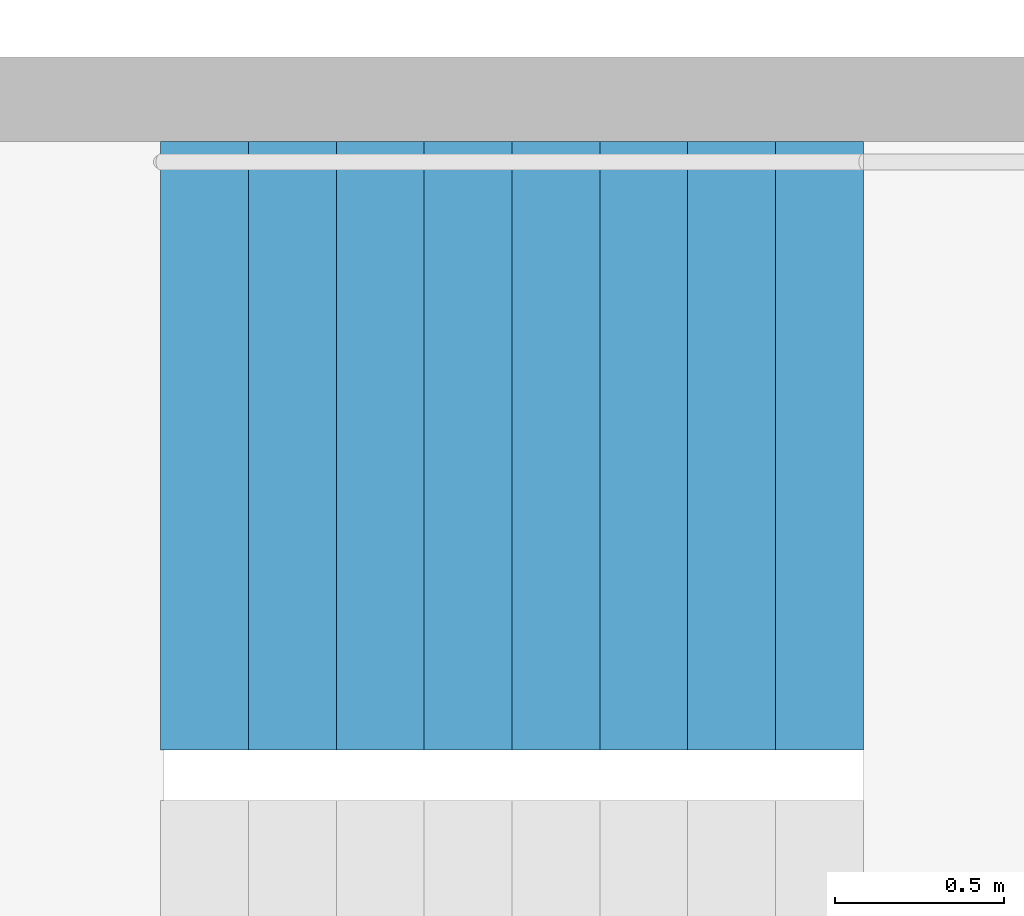
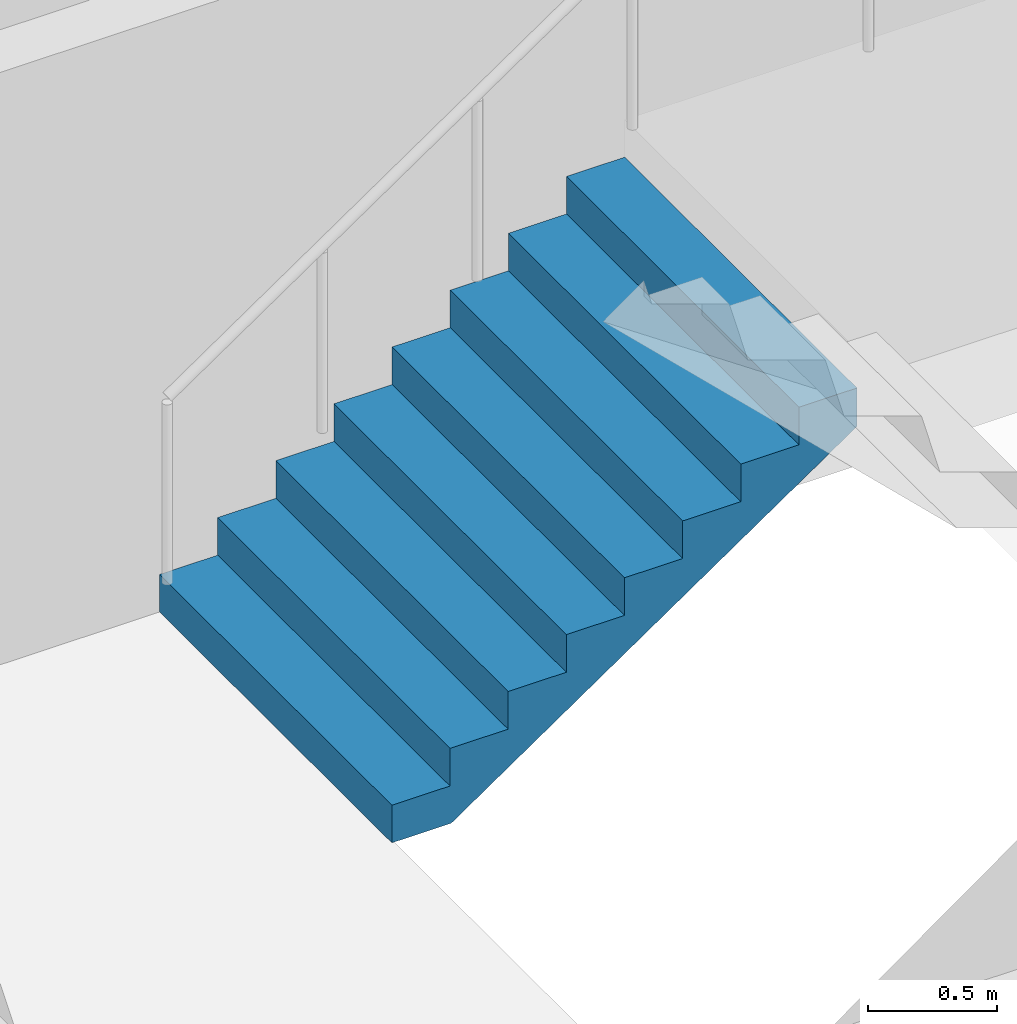
# One storey, part 26 of 29: 1 stair flight, 1 element without a shape of its own.
"""IFC4 building model written with IfcOpenShell, lengths in metres."""

from ifc_helpers import new_model, si_unit, direction, frame, origin, place, context, subcontext, project, spatial, triangles, material, type_object, element, aggregate, save


model = new_model("IFC4")

# Units and contexts
model_context = context("Model", 3, precision=1e-05, world=origin(), true_north=direction((0.0, 1.0)))
body_context = subcontext(model_context, "Body", "Model", "MODEL_VIEW")
ifc_project = project(units=[si_unit("LENGTHUNIT", "METRE"), si_unit("AREAUNIT", "SQUARE_METRE"), si_unit("VOLUMEUNIT", "CUBIC_METRE"), si_unit("PLANEANGLEUNIT", "RADIAN"), si_unit("MASSUNIT", "GRAM", prefix="KILO")], contexts=[model_context])

# Site, building, storey
site_placement = place(None, origin())
site = spatial("IfcSite", under=ifc_project, at=site_placement, CompositionType="ELEMENT")
building_placement = place(site_placement, origin())
building = spatial("IfcBuilding", under=site, at=building_placement, Name="Hakoniwa Tower and Hamabe Station Hall", CompositionType="ELEMENT")
storey_placement = place(building_placement, frame((0.0, 0.0, 85.0)))
storey = spatial("IfcBuildingStorey", under=building, at=storey_placement, Name="L23", CompositionType="ELEMENT", Elevation=85.0)

# Stair, stair flight
ifc_material_1 = material(Name="Concrete C40", Category="concrete")
stair_type = type_object("IfcStairType", Name="ESCAPE STAIR 1800", PredefinedType="HALF_TURN_STAIR", material=ifc_material_1)
stair_placement = place(storey_placement, origin())
stair = element("IfcStair", 1, at=stair_placement, inside=storey, type_object=stair_type, Name="Escape stair ST-4 L23", PredefinedType="HALF_TURN_STAIR")
ifc_material_2 = material(Name="Concrete C40", Category="concrete")
stair_flight_type = type_object("IfcStairFlightType", Name="STAIR FLIGHT 1800", PredefinedType="STRAIGHT", material=ifc_material_2)
stair_flight_placement = place(storey_placement, frame((23.39990234375, -4.64990234375, 0.0), z_axis=(0.0, 0.0, 1.0), x_axis=(1.0, 0.0, 0.0)))
stair_flight = element("IfcStairFlight", 2, at=stair_flight_placement, type_object=stair_flight_type, Name="ST-4 flight 1", NumberOfRisers=9, NumberOfTreads=8, PredefinedType="STRAIGHT", RiserHeight=0.177777778, TreadLength=0.26, context=body_context, shape_type="Tessellation", body=[
    triangles([(0.0, 0.89990234375, 0.0), (0.260009765625, 0.89990234375, 0.0), (0.265625, 0.89990234375, 0.0), (0.52001953125, 0.89990234375, 0.174072265625), (0.780029296875, 0.89990234375, 0.351806640625), (1.0400390625, 0.89990234375, 0.529541015625), (1.300048828125, 0.89990234375, 0.707275390625), (1.56005859375, 0.89990234375, 0.885009765625), (1.820068359375, 0.89990234375, 1.062744140625), (2.080078125, 0.89990234375, 1.24072265625), (2.080078125, 0.89990234375, 1.422119140625), (1.820068359375, 0.89990234375, 1.422119140625), (1.820068359375, 0.89990234375, 1.244384765625), (1.56005859375, 0.89990234375, 1.244384765625), (1.56005859375, 0.89990234375, 1.066650390625), (1.300048828125, 0.89990234375, 1.066650390625), (1.300048828125, 0.89990234375, 0.888916015625), (1.0400390625, 0.89990234375, 0.888916015625), (1.0400390625, 0.89990234375, 0.711181640625), (0.780029296875, 0.89990234375, 0.711181640625), (0.780029296875, 0.89990234375, 0.533447265625), (0.52001953125, 0.89990234375, 0.533447265625), (0.52001953125, 0.89990234375, 0.35546875), (0.265625, 0.89990234375, 0.35546875), (0.260009765625, 0.89990234375, 0.35546875), (0.260009765625, 0.89990234375, 0.177734375), (0.0, 0.89990234375, 0.177734375), (0.0, 0.06005859375, 0.0), (0.260009765625, 0.06005859375, 0.0), (0.265625, 0.06005859375, 0.0), (0.52001953125, 0.06005859375, 0.174072265625), (0.780029296875, 0.06005859375, 0.351806640625), (1.0400390625, 0.06005859375, 0.529541015625), (1.300048828125, 0.06005859375, 0.707275390625), (1.56005859375, 0.06005859375, 0.885009765625), (1.820068359375, 0.06005859375, 1.062744140625), (2.080078125, 0.06005859375, 1.24072265625), (2.080078125, 0.06005859375, 1.422119140625), (1.820068359375, 0.06005859375, 1.422119140625), (1.820068359375, 0.06005859375, 1.244384765625), (1.56005859375, 0.06005859375, 1.244384765625), (1.56005859375, 0.06005859375, 1.066650390625), (1.300048828125, 0.06005859375, 1.066650390625), (1.300048828125, 0.06005859375, 0.888916015625), (1.0400390625, 0.06005859375, 0.888916015625), (1.0400390625, 0.06005859375, 0.711181640625), (0.780029296875, 0.06005859375, 0.711181640625), (0.780029296875, 0.06005859375, 0.533447265625), (0.52001953125, 0.06005859375, 0.533447265625), (0.52001953125, 0.06005859375, 0.35546875), (0.265625, 0.06005859375, 0.35546875), (0.260009765625, 0.06005859375, 0.35546875), (0.260009765625, 0.06005859375, 0.177734375), (0.0, 0.06005859375, 0.177734375), (0.0, 0.04296875, 0.0), (0.260009765625, 0.04296875, 0.0), (0.265625, 0.04296875, 0.0), (0.52001953125, 0.04296875, 0.174072265625), (0.780029296875, 0.04296875, 0.351806640625), (1.0400390625, 0.04296875, 0.529541015625), (1.300048828125, 0.04296875, 0.707275390625), (1.56005859375, 0.04296875, 0.885009765625), (1.820068359375, 0.04296875, 1.062744140625), (2.080078125, 0.04296875, 1.24072265625), (2.080078125, 0.04296875, 1.422119140625), (1.820068359375, 0.04296875, 1.422119140625), (1.820068359375, 0.04296875, 1.244384765625), (1.56005859375, 0.04296875, 1.244384765625), (1.56005859375, 0.04296875, 1.066650390625), (1.300048828125, 0.04296875, 1.066650390625), (1.300048828125, 0.04296875, 0.888916015625), (1.0400390625, 0.04296875, 0.888916015625), (1.0400390625, 0.04296875, 0.711181640625), (0.780029296875, 0.04296875, 0.711181640625), (0.780029296875, 0.04296875, 0.533447265625), (0.52001953125, 0.04296875, 0.533447265625), (0.52001953125, 0.04296875, 0.35546875), (0.265625, 0.04296875, 0.35546875), (0.260009765625, 0.04296875, 0.35546875), (0.260009765625, 0.04296875, 0.177734375), (0.0, 0.04296875, 0.177734375), (0.0, 0.025634765625, 0.0), (0.260009765625, 0.025634765625, 0.0), (0.265625, 0.025634765625, 0.0), (0.52001953125, 0.025634765625, 0.174072265625), (0.780029296875, 0.025634765625, 0.351806640625), (1.0400390625, 0.025634765625, 0.529541015625), (1.300048828125, 0.025634765625, 0.707275390625), (1.56005859375, 0.025634765625, 0.885009765625), (1.820068359375, 0.025634765625, 1.062744140625), (2.080078125, 0.025634765625, 1.24072265625), (2.080078125, 0.025634765625, 1.422119140625), (1.820068359375, 0.025634765625, 1.422119140625), (1.820068359375, 0.025634765625, 1.244384765625), (1.56005859375, 0.025634765625, 1.244384765625), (1.56005859375, 0.025634765625, 1.066650390625), (1.300048828125, 0.025634765625, 1.066650390625), (1.300048828125, 0.025634765625, 0.888916015625), (1.0400390625, 0.025634765625, 0.888916015625), (1.0400390625, 0.025634765625, 0.711181640625), (0.780029296875, 0.025634765625, 0.711181640625), (0.780029296875, 0.025634765625, 0.533447265625), (0.52001953125, 0.025634765625, 0.533447265625), (0.52001953125, 0.025634765625, 0.35546875), (0.265625, 0.025634765625, 0.35546875), (0.260009765625, 0.025634765625, 0.35546875), (0.260009765625, 0.025634765625, 0.177734375), (0.0, 0.025634765625, 0.177734375), (0.0, 0.008544921875, 0.0), (0.260009765625, 0.008544921875, 0.0), (0.265625, 0.008544921875, 0.0), (0.52001953125, 0.008544921875, 0.174072265625), (0.780029296875, 0.008544921875, 0.351806640625), (1.0400390625, 0.008544921875, 0.529541015625), (1.300048828125, 0.008544921875, 0.707275390625), (1.56005859375, 0.008544921875, 0.885009765625), (1.820068359375, 0.008544921875, 1.062744140625), (2.080078125, 0.008544921875, 1.24072265625), (2.080078125, 0.008544921875, 1.422119140625), (1.820068359375, 0.008544921875, 1.422119140625), (1.820068359375, 0.008544921875, 1.244384765625), (1.56005859375, 0.008544921875, 1.244384765625), (1.56005859375, 0.008544921875, 1.066650390625), (1.300048828125, 0.008544921875, 1.066650390625), (1.300048828125, 0.008544921875, 0.888916015625), (1.0400390625, 0.008544921875, 0.888916015625), (1.0400390625, 0.008544921875, 0.711181640625), (0.780029296875, 0.008544921875, 0.711181640625), (0.780029296875, 0.008544921875, 0.533447265625), (0.52001953125, 0.008544921875, 0.533447265625), (0.52001953125, 0.008544921875, 0.35546875), (0.265625, 0.008544921875, 0.35546875), (0.260009765625, 0.008544921875, 0.35546875), (0.260009765625, 0.008544921875, 0.177734375), (0.0, 0.008544921875, 0.177734375), (0.0, -0.008544921875, 0.0), (0.260009765625, -0.008544921875, 0.0), (0.265625, -0.008544921875, 0.0), (0.52001953125, -0.008544921875, 0.174072265625), (0.780029296875, -0.008544921875, 0.351806640625), (1.0400390625, -0.008544921875, 0.529541015625), (1.300048828125, -0.008544921875, 0.707275390625), (1.56005859375, -0.008544921875, 0.885009765625), (1.820068359375, -0.008544921875, 1.062744140625), (2.080078125, -0.008544921875, 1.24072265625), (2.080078125, -0.008544921875, 1.422119140625), (1.820068359375, -0.008544921875, 1.422119140625), (1.820068359375, -0.008544921875, 1.244384765625), (1.56005859375, -0.008544921875, 1.244384765625), (1.56005859375, -0.008544921875, 1.066650390625), (1.300048828125, -0.008544921875, 1.066650390625), (1.300048828125, -0.008544921875, 0.888916015625), (1.0400390625, -0.008544921875, 0.888916015625), (1.0400390625, -0.008544921875, 0.711181640625), (0.780029296875, -0.008544921875, 0.711181640625), (0.780029296875, -0.008544921875, 0.533447265625), (0.52001953125, -0.008544921875, 0.533447265625), (0.52001953125, -0.008544921875, 0.35546875), (0.265625, -0.008544921875, 0.35546875), (0.260009765625, -0.008544921875, 0.35546875), (0.260009765625, -0.008544921875, 0.177734375), (0.0, -0.008544921875, 0.177734375), (0.0, -0.025634765625, 0.0), (0.260009765625, -0.025634765625, 0.0), (0.265625, -0.025634765625, 0.0), (0.52001953125, -0.025634765625, 0.174072265625), (0.780029296875, -0.025634765625, 0.351806640625), (1.0400390625, -0.025634765625, 0.529541015625), (1.300048828125, -0.025634765625, 0.707275390625), (1.56005859375, -0.025634765625, 0.885009765625), (1.820068359375, -0.025634765625, 1.062744140625), (2.080078125, -0.025634765625, 1.24072265625), (2.080078125, -0.025634765625, 1.422119140625), (1.820068359375, -0.025634765625, 1.422119140625), (1.820068359375, -0.025634765625, 1.244384765625), (1.56005859375, -0.025634765625, 1.244384765625), (1.56005859375, -0.025634765625, 1.066650390625), (1.300048828125, -0.025634765625, 1.066650390625), (1.300048828125, -0.025634765625, 0.888916015625), (1.0400390625, -0.025634765625, 0.888916015625), (1.0400390625, -0.025634765625, 0.711181640625), (0.780029296875, -0.025634765625, 0.711181640625), (0.780029296875, -0.025634765625, 0.533447265625), (0.52001953125, -0.025634765625, 0.533447265625), (0.52001953125, -0.025634765625, 0.35546875), (0.265625, -0.025634765625, 0.35546875), (0.260009765625, -0.025634765625, 0.35546875), (0.260009765625, -0.025634765625, 0.177734375), (0.0, -0.025634765625, 0.177734375), (0.0, -0.04296875, 0.0), (0.260009765625, -0.04296875, 0.0), (0.265625, -0.04296875, 0.0), (0.52001953125, -0.04296875, 0.174072265625), (0.780029296875, -0.04296875, 0.351806640625), (1.0400390625, -0.04296875, 0.529541015625), (1.300048828125, -0.04296875, 0.707275390625), (1.56005859375, -0.04296875, 0.885009765625), (1.820068359375, -0.04296875, 1.062744140625), (2.080078125, -0.04296875, 1.24072265625), (2.080078125, -0.04296875, 1.422119140625), (1.820068359375, -0.04296875, 1.422119140625), (1.820068359375, -0.04296875, 1.244384765625), (1.56005859375, -0.04296875, 1.244384765625), (1.56005859375, -0.04296875, 1.066650390625), (1.300048828125, -0.04296875, 1.066650390625), (1.300048828125, -0.04296875, 0.888916015625), (1.0400390625, -0.04296875, 0.888916015625), (1.0400390625, -0.04296875, 0.711181640625), (0.780029296875, -0.04296875, 0.711181640625), (0.780029296875, -0.04296875, 0.533447265625), (0.52001953125, -0.04296875, 0.533447265625), (0.52001953125, -0.04296875, 0.35546875), (0.265625, -0.04296875, 0.35546875), (0.260009765625, -0.04296875, 0.35546875), (0.260009765625, -0.04296875, 0.177734375), (0.0, -0.04296875, 0.177734375), (0.0, -0.06005859375, 0.0), (0.260009765625, -0.06005859375, 0.0), (0.265625, -0.06005859375, 0.0), (0.52001953125, -0.06005859375, 0.174072265625), (0.780029296875, -0.06005859375, 0.351806640625), (1.0400390625, -0.06005859375, 0.529541015625), (1.300048828125, -0.06005859375, 0.707275390625), (1.56005859375, -0.06005859375, 0.885009765625), (1.820068359375, -0.06005859375, 1.062744140625), (2.080078125, -0.06005859375, 1.24072265625), (2.080078125, -0.06005859375, 1.422119140625), (1.820068359375, -0.06005859375, 1.422119140625), (1.820068359375, -0.06005859375, 1.244384765625), (1.56005859375, -0.06005859375, 1.244384765625), (1.56005859375, -0.06005859375, 1.066650390625), (1.300048828125, -0.06005859375, 1.066650390625), (1.300048828125, -0.06005859375, 0.888916015625), (1.0400390625, -0.06005859375, 0.888916015625), (1.0400390625, -0.06005859375, 0.711181640625), (0.780029296875, -0.06005859375, 0.711181640625), (0.780029296875, -0.06005859375, 0.533447265625), (0.52001953125, -0.06005859375, 0.533447265625), (0.52001953125, -0.06005859375, 0.35546875), (0.265625, -0.06005859375, 0.35546875), (0.260009765625, -0.06005859375, 0.35546875), (0.260009765625, -0.06005859375, 0.177734375), (0.0, -0.06005859375, 0.177734375), (0.0, -0.89990234375, 0.0), (0.260009765625, -0.89990234375, 0.0), (0.265625, -0.89990234375, 0.0), (0.52001953125, -0.89990234375, 0.174072265625), (0.780029296875, -0.89990234375, 0.351806640625), (1.0400390625, -0.89990234375, 0.529541015625), (1.300048828125, -0.89990234375, 0.707275390625), (1.56005859375, -0.89990234375, 0.885009765625), (1.820068359375, -0.89990234375, 1.062744140625), (2.080078125, -0.89990234375, 1.24072265625), (2.080078125, -0.89990234375, 1.422119140625), (1.820068359375, -0.89990234375, 1.422119140625), (1.820068359375, -0.89990234375, 1.244384765625), (1.56005859375, -0.89990234375, 1.244384765625), (1.56005859375, -0.89990234375, 1.066650390625), (1.300048828125, -0.89990234375, 1.066650390625), (1.300048828125, -0.89990234375, 0.888916015625), (1.0400390625, -0.89990234375, 0.888916015625), (1.0400390625, -0.89990234375, 0.711181640625), (0.780029296875, -0.89990234375, 0.711181640625), (0.780029296875, -0.89990234375, 0.533447265625), (0.52001953125, -0.89990234375, 0.533447265625), (0.52001953125, -0.89990234375, 0.35546875), (0.265625, -0.89990234375, 0.35546875), (0.260009765625, -0.89990234375, 0.35546875), (0.260009765625, -0.89990234375, 0.177734375), (0.0, -0.89990234375, 0.177734375)], [[2, 27, 26], [245, 269, 270], [2, 1, 27], [245, 270, 244], [3, 25, 24], [246, 267, 268], [3, 26, 25], [246, 268, 269], [3, 2, 26], [246, 269, 245], [4, 24, 23], [247, 266, 267], [4, 3, 24], [247, 267, 246], [5, 22, 21], [248, 264, 265], [5, 23, 22], [248, 265, 266], [5, 4, 23], [248, 266, 247], [6, 20, 19], [249, 262, 263], [6, 21, 20], [249, 263, 264], [6, 5, 21], [249, 264, 248], [7, 18, 17], [250, 260, 261], [7, 19, 18], [250, 261, 262], [7, 6, 19], [250, 262, 249], [8, 16, 15], [251, 258, 259], [8, 17, 16], [251, 259, 260], [8, 7, 17], [251, 260, 250], [9, 14, 13], [252, 256, 257], [9, 15, 14], [252, 257, 258], [9, 8, 15], [252, 258, 251], [10, 12, 11], [253, 254, 255], [10, 13, 12], [253, 255, 256], [10, 9, 13], [253, 256, 252], [1, 2, 29], [1, 29, 28], [28, 29, 56], [28, 56, 55], [55, 56, 83], [55, 83, 82], [82, 83, 110], [82, 110, 109], [109, 110, 137], [109, 137, 136], [136, 137, 164], [136, 164, 163], [163, 164, 191], [163, 191, 190], [190, 191, 218], [190, 218, 217], [217, 218, 245], [217, 245, 244], [2, 3, 30], [2, 30, 29], [29, 30, 57], [29, 57, 56], [56, 57, 84], [56, 84, 83], [83, 84, 111], [83, 111, 110], [110, 111, 138], [110, 138, 137], [137, 138, 165], [137, 165, 164], [164, 165, 192], [164, 192, 191], [191, 192, 219], [191, 219, 218], [218, 219, 246], [218, 246, 245], [3, 4, 31], [3, 31, 30], [30, 31, 58], [30, 58, 57], [57, 58, 85], [57, 85, 84], [84, 85, 112], [84, 112, 111], [111, 112, 139], [111, 139, 138], [138, 139, 166], [138, 166, 165], [165, 166, 193], [165, 193, 192], [192, 193, 220], [192, 220, 219], [219, 220, 247], [219, 247, 246], [4, 5, 32], [4, 32, 31], [31, 32, 59], [31, 59, 58], [58, 59, 86], [58, 86, 85], [85, 86, 113], [85, 113, 112], [112, 113, 140], [112, 140, 139], [139, 140, 167], [139, 167, 166], [166, 167, 194], [166, 194, 193], [193, 194, 221], [193, 221, 220], [220, 221, 248], [220, 248, 247], [5, 6, 33], [5, 33, 32], [32, 33, 60], [32, 60, 59], [59, 60, 87], [59, 87, 86], [86, 87, 114], [86, 114, 113], [113, 114, 141], [113, 141, 140], [140, 141, 168], [140, 168, 167], [167, 168, 195], [167, 195, 194], [194, 195, 222], [194, 222, 221], [221, 222, 249], [221, 249, 248], [6, 7, 34], [6, 34, 33], [33, 34, 61], [33, 61, 60], [60, 61, 88], [60, 88, 87], [87, 88, 115], [87, 115, 114], [114, 115, 142], [114, 142, 141], [141, 142, 169], [141, 169, 168], [168, 169, 196], [168, 196, 195], [195, 196, 223], [195, 223, 222], [222, 223, 250], [222, 250, 249], [7, 8, 35], [7, 35, 34], [34, 35, 62], [34, 62, 61], [61, 62, 89], [61, 89, 88], [88, 89, 116], [88, 116, 115], [115, 116, 143], [115, 143, 142], [142, 143, 170], [142, 170, 169], [169, 170, 197], [169, 197, 196], [196, 197, 224], [196, 224, 223], [223, 224, 251], [223, 251, 250], [8, 9, 36], [8, 36, 35], [35, 36, 63], [35, 63, 62], [62, 63, 90], [62, 90, 89], [89, 90, 117], [89, 117, 116], [116, 117, 144], [116, 144, 143], [143, 144, 171], [143, 171, 170], [170, 171, 198], [170, 198, 197], [197, 198, 225], [197, 225, 224], [224, 225, 252], [224, 252, 251], [9, 10, 37], [9, 37, 36], [36, 37, 64], [36, 64, 63], [63, 64, 91], [63, 91, 90], [90, 91, 118], [90, 118, 117], [117, 118, 145], [117, 145, 144], [144, 145, 172], [144, 172, 171], [171, 172, 199], [171, 199, 198], [198, 199, 226], [198, 226, 225], [225, 226, 253], [225, 253, 252], [10, 11, 38], [10, 38, 37], [37, 38, 65], [37, 65, 64], [64, 65, 92], [64, 92, 91], [91, 92, 119], [91, 119, 118], [118, 119, 146], [118, 146, 145], [145, 146, 173], [145, 173, 172], [172, 173, 200], [172, 200, 199], [199, 200, 227], [199, 227, 226], [226, 227, 254], [226, 254, 253], [11, 12, 39], [11, 39, 38], [38, 39, 66], [38, 66, 65], [65, 66, 93], [65, 93, 92], [92, 93, 120], [92, 120, 119], [119, 120, 147], [119, 147, 146], [146, 147, 174], [146, 174, 173], [173, 174, 201], [173, 201, 200], [200, 201, 228], [200, 228, 227], [227, 228, 255], [227, 255, 254], [12, 13, 40], [12, 40, 39], [39, 40, 67], [39, 67, 66], [66, 67, 94], [66, 94, 93], [93, 94, 121], [93, 121, 120], [120, 121, 148], [120, 148, 147], [147, 148, 175], [147, 175, 174], [174, 175, 202], [174, 202, 201], [201, 202, 229], [201, 229, 228], [228, 229, 256], [228, 256, 255], [13, 14, 41], [13, 41, 40], [40, 41, 68], [40, 68, 67], [67, 68, 95], [67, 95, 94], [94, 95, 122], [94, 122, 121], [121, 122, 149], [121, 149, 148], [148, 149, 176], [148, 176, 175], [175, 176, 203], [175, 203, 202], [202, 203, 230], [202, 230, 229], [229, 230, 257], [229, 257, 256], [14, 15, 42], [14, 42, 41], [41, 42, 69], [41, 69, 68], [68, 69, 96], [68, 96, 95], [95, 96, 123], [95, 123, 122], [122, 123, 150], [122, 150, 149], [149, 150, 177], [149, 177, 176], [176, 177, 204], [176, 204, 203], [203, 204, 231], [203, 231, 230], [230, 231, 258], [230, 258, 257], [15, 16, 43], [15, 43, 42], [42, 43, 70], [42, 70, 69], [69, 70, 97], [69, 97, 96], [96, 97, 124], [96, 124, 123], [123, 124, 151], [123, 151, 150], [150, 151, 178], [150, 178, 177], [177, 178, 205], [177, 205, 204], [204, 205, 232], [204, 232, 231], [231, 232, 259], [231, 259, 258], [16, 17, 44], [16, 44, 43], [43, 44, 71], [43, 71, 70], [70, 71, 98], [70, 98, 97], [97, 98, 125], [97, 125, 124], [124, 125, 152], [124, 152, 151], [151, 152, 179], [151, 179, 178], [178, 179, 206], [178, 206, 205], [205, 206, 233], [205, 233, 232], [232, 233, 260], [232, 260, 259], [17, 18, 45], [17, 45, 44], [44, 45, 72], [44, 72, 71], [71, 72, 99], [71, 99, 98], [98, 99, 126], [98, 126, 125], [125, 126, 153], [125, 153, 152], [152, 153, 180], [152, 180, 179], [179, 180, 207], [179, 207, 206], [206, 207, 234], [206, 234, 233], [233, 234, 261], [233, 261, 260], [18, 19, 46], [18, 46, 45], [45, 46, 73], [45, 73, 72], [72, 73, 100], [72, 100, 99], [99, 100, 127], [99, 127, 126], [126, 127, 154], [126, 154, 153], [153, 154, 181], [153, 181, 180], [180, 181, 208], [180, 208, 207], [207, 208, 235], [207, 235, 234], [234, 235, 262], [234, 262, 261], [19, 20, 47], [19, 47, 46], [46, 47, 74], [46, 74, 73], [73, 74, 101], [73, 101, 100], [100, 101, 128], [100, 128, 127], [127, 128, 155], [127, 155, 154], [154, 155, 182], [154, 182, 181], [181, 182, 209], [181, 209, 208], [208, 209, 236], [208, 236, 235], [235, 236, 263], [235, 263, 262], [20, 21, 48], [20, 48, 47], [47, 48, 75], [47, 75, 74], [74, 75, 102], [74, 102, 101], [101, 102, 129], [101, 129, 128], [128, 129, 156], [128, 156, 155], [155, 156, 183], [155, 183, 182], [182, 183, 210], [182, 210, 209], [209, 210, 237], [209, 237, 236], [236, 237, 264], [236, 264, 263], [21, 22, 49], [21, 49, 48], [48, 49, 76], [48, 76, 75], [75, 76, 103], [75, 103, 102], [102, 103, 130], [102, 130, 129], [129, 130, 157], [129, 157, 156], [156, 157, 184], [156, 184, 183], [183, 184, 211], [183, 211, 210], [210, 211, 238], [210, 238, 237], [237, 238, 265], [237, 265, 264], [22, 23, 50], [22, 50, 49], [49, 50, 77], [49, 77, 76], [76, 77, 104], [76, 104, 103], [103, 104, 131], [103, 131, 130], [130, 131, 158], [130, 158, 157], [157, 158, 185], [157, 185, 184], [184, 185, 212], [184, 212, 211], [211, 212, 239], [211, 239, 238], [238, 239, 266], [238, 266, 265], [23, 24, 51], [23, 51, 50], [50, 51, 78], [50, 78, 77], [77, 78, 105], [77, 105, 104], [104, 105, 132], [104, 132, 131], [131, 132, 159], [131, 159, 158], [158, 159, 186], [158, 186, 185], [185, 186, 213], [185, 213, 212], [212, 213, 240], [212, 240, 239], [239, 240, 267], [239, 267, 266], [24, 25, 52], [24, 52, 51], [51, 52, 79], [51, 79, 78], [78, 79, 106], [78, 106, 105], [105, 106, 133], [105, 133, 132], [132, 133, 160], [132, 160, 159], [159, 160, 187], [159, 187, 186], [186, 187, 214], [186, 214, 213], [213, 214, 241], [213, 241, 240], [240, 241, 268], [240, 268, 267], [25, 26, 53], [25, 53, 52], [52, 53, 80], [52, 80, 79], [79, 80, 107], [79, 107, 106], [106, 107, 134], [106, 134, 133], [133, 134, 161], [133, 161, 160], [160, 161, 188], [160, 188, 187], [187, 188, 215], [187, 215, 214], [214, 215, 242], [214, 242, 241], [241, 242, 269], [241, 269, 268], [26, 27, 54], [26, 54, 53], [53, 54, 81], [53, 81, 80], [80, 81, 108], [80, 108, 107], [107, 108, 135], [107, 135, 134], [134, 135, 162], [134, 162, 161], [161, 162, 189], [161, 189, 188], [188, 189, 216], [188, 216, 215], [215, 216, 243], [215, 243, 242], [242, 243, 270], [242, 270, 269], [27, 1, 28], [27, 28, 54], [54, 28, 55], [54, 55, 81], [81, 55, 82], [81, 82, 108], [108, 82, 109], [108, 109, 135], [135, 109, 136], [135, 136, 162], [162, 136, 163], [162, 163, 189], [189, 163, 190], [189, 190, 216], [216, 190, 217], [216, 217, 243], [243, 217, 244], [243, 244, 270]], closed=True),
])
aggregate(stair, [stair_flight])

save(model, "model.ifc")
